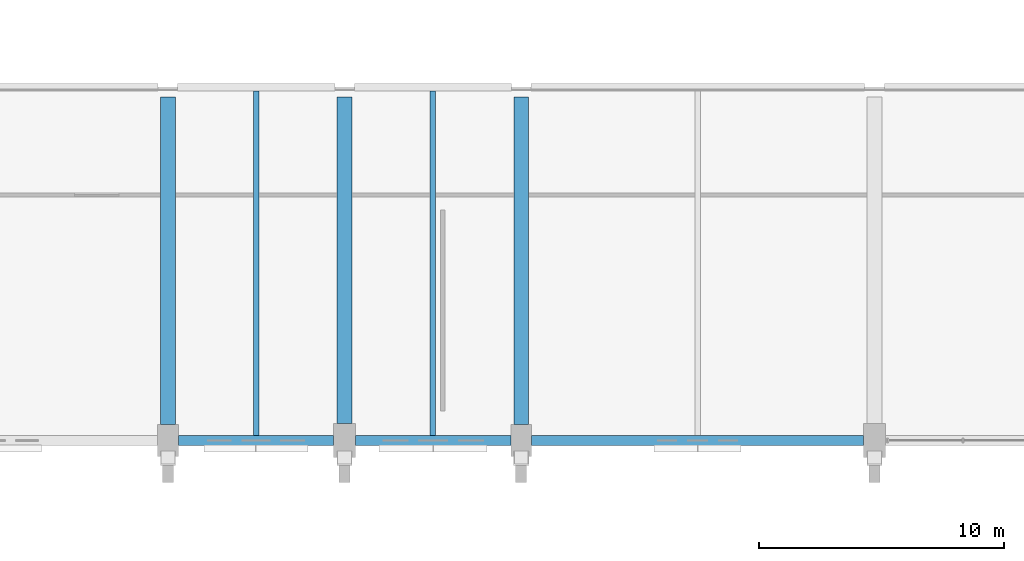
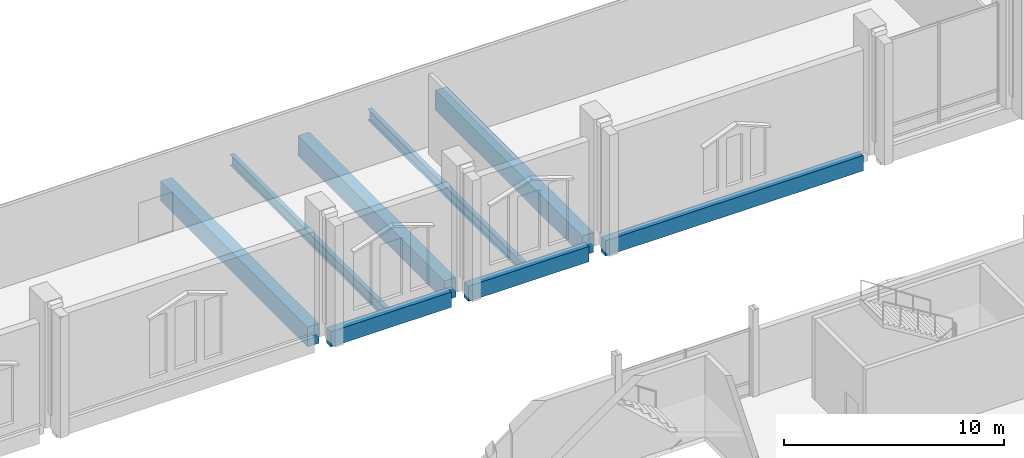
# One storey, part 41 of 220: 8 beams.
"""IFC4 building model written with IfcOpenShell, lengths in metres."""

from ifc_helpers import new_model, si_unit, direction, frame, origin, origin_2d, place, context, subcontext, project, spatial, rectangle, i_section, extrude, material, material_profile, profile_set, type_object, element, save


model = new_model("IFC4")

# Units and contexts
model_context = context("Model", 3, precision=1e-05, world=origin(), true_north=direction((0.0, 1.0)))
body_context = subcontext(model_context, "Body", "Model", "MODEL_VIEW")
ifc_project = project(units=[si_unit("LENGTHUNIT", "METRE"), si_unit("AREAUNIT", "SQUARE_METRE"), si_unit("VOLUMEUNIT", "CUBIC_METRE"), si_unit("PLANEANGLEUNIT", "RADIAN"), si_unit("MASSUNIT", "GRAM", prefix="KILO")], contexts=[model_context])

# Site, building, storey
site_placement = place(None, origin())
site = spatial("IfcSite", under=ifc_project, at=site_placement, CompositionType="ELEMENT")
building_placement = place(site_placement, origin())
building = spatial("IfcBuilding", under=site, at=building_placement, Name="Cendralis Lancet Convention Centre", CompositionType="ELEMENT")
storey_placement = place(building_placement, frame((0.0, 0.0, 5.39990234375)))
storey = spatial("IfcBuildingStorey", under=building, at=storey_placement, Name="L01", CompositionType="ELEMENT", Elevation=5.39990234375)

# Beams
ifc_material_1 = material(Name="Concrete G40 (C40/50)", Category="concrete")
ifc_material_profile_1 = material_profile(ifc_material_1, rectangle(XDim=0.60009765625, YDim=1.10009765625, at=origin_2d()), Name="RCB 600x1100")
ifc_profile_set_1 = profile_set([ifc_material_profile_1], Name="Concrete G40 (C40/50)")
beam_type_1 = type_object("IfcBeamType", Name="STR-BM-BG02", PredefinedType="BEAM", material=ifc_profile_set_1)
beam_1_placement = place(storey_placement, frame((64.800048828125, 51.050048828125, -0.829833984375), z_axis=(0.0, 1.0, 0.0), x_axis=(-1.0, 0.0, 0.0)))
element("IfcBeam", 1, at=beam_1_placement, inside=storey, type_object=beam_type_1, Name="L01 Beam BG02 #1220", PredefinedType="BEAM", context=body_context, shape_type="SweptSolid", body=[
    extrude(rectangle(XDim=0.60009765625, YDim=1.10009765625, at=origin_2d()), origin(), (0.0, 0.0, 1.0), 13.349853515625),
])
beam_2_placement = place(storey_placement, frame((72.0, 51.10009765625, -0.829833984375), z_axis=(0.0, 1.0, 0.0), x_axis=(-1.0, 0.0, 0.0)))
element("IfcBeam", 2, at=beam_2_placement, inside=storey, type_object=beam_type_1, Name="L01 Beam BG02 #1221", PredefinedType="BEAM", context=body_context, shape_type="SweptSolid", body=[
    extrude(rectangle(XDim=0.60009765625, YDim=1.10009765625, at=origin_2d()), origin(), (0.0, 0.0, 1.0), 13.2998046875),
])
beam_3_placement = place(storey_placement, frame((79.199951171875, 51.050048828125, -0.829833984375), z_axis=(0.0, 1.0, 0.0), x_axis=(-1.0, 0.0, 0.0)))
element("IfcBeam", 3, at=beam_3_placement, inside=storey, type_object=beam_type_1, Name="L01 Beam BG02 #1222", PredefinedType="BEAM", context=body_context, shape_type="SweptSolid", body=[
    extrude(rectangle(XDim=0.60009765625, YDim=1.10009765625, at=origin_2d()), origin(), (0.0, 0.0, 1.0), 13.349853515625),
])
ifc_material_2 = material(Name="Steel S355", Category="steel")
ifc_material_profile_2 = material_profile(ifc_material_2, i_section(OverallWidth=0.219970703125, OverallDepth=0.60009765625, WebThickness=0.011962890625, FlangeThickness=0.01904296875, FilletRadius=0.02392578125, at=origin_2d()), Name="IPE 600")
ifc_profile_set_2 = profile_set([ifc_material_profile_2], Name="Steel S355")
beam_type_2 = type_object("IfcBeamType", Name="STR-JS-BJ04", PredefinedType="JOIST", material=ifc_profile_set_2)
for number, where, z_axis, x_axis, name in (
    (4, (68.39990234375, 50.60009765625, -0.579833984375), (0.0, 1.0, 0.0), (-1.0, 0.0, 0.0), "L01 Beam BJ04 #1230"),
    (5, (75.60009765625, 50.60009765625, -0.579833984375), (0.0, 1.0, 0.0), (-1.0, 0.0, 0.0), "L01 Beam BJ04 #1231"),
):
    element("IfcBeam", number, at=place(storey_placement, frame(where, z_axis=z_axis, x_axis=x_axis)), inside=storey, type_object=beam_type_2, Name=name, PredefinedType="JOIST", context=body_context, shape_type="SweptSolid", body=[
        extrude(i_section(OverallWidth=0.219970703125, OverallDepth=0.60009765625, WebThickness=0.011962890625, FlangeThickness=0.01904296875, FilletRadius=0.02392578125, at=origin_2d()), origin(), (0.0, 0.0, 1.0), 14.0498046875),
    ])
ifc_material_profile_3 = material_profile(ifc_material_1, rectangle(XDim=0.39990234375, YDim=0.85009765625, at=origin_2d()), Name="RCB 400x850")
ifc_profile_set_3 = profile_set([ifc_material_profile_3], Name="Concrete G40 (C40/50)")
beam_type_3 = type_object("IfcBeamType", Name="STR-SP-SP02", PredefinedType="SPANDREL", material=ifc_profile_set_3)
for number, where, z_axis, x_axis, name in (
    (6, (65.22509765625, 50.39990234375, -0.704833984375), (1.0, 0.0, 0.0), (0.0, 1.0, 0.0), "L01 Beam SP02 #1204"),
    (7, (72.449951171875, 50.39990234375, -0.704833984375), (1.0, 0.0, 0.0), (0.0, 1.0, 0.0), "L01 Beam SP02 #1206"),
):
    element("IfcBeam", number, at=place(storey_placement, frame(where, z_axis=z_axis, x_axis=x_axis)), inside=storey, type_object=beam_type_3, Name=name, PredefinedType="SPANDREL", context=body_context, shape_type="SweptSolid", body=[
        extrude(rectangle(XDim=0.39990234375, YDim=0.85009765625, at=origin_2d()), origin(), (0.0, 0.0, 1.0), 6.324951171875),
    ])
beam_4_placement = place(storey_placement, frame((79.625, 50.39990234375, -0.704833984375), z_axis=(1.0, 0.0, 0.0), x_axis=(0.0, 1.0, 0.0)))
element("IfcBeam", 8, at=beam_4_placement, inside=storey, type_object=beam_type_3, Name="L01 Beam SP02 #1208", PredefinedType="SPANDREL", context=body_context, shape_type="SweptSolid", body=[
    extrude(rectangle(XDim=0.39990234375, YDim=0.85009765625, at=origin_2d()), origin(), (0.0, 0.0, 1.0), 13.52490234375),
])

save(model, "model.ifc")
